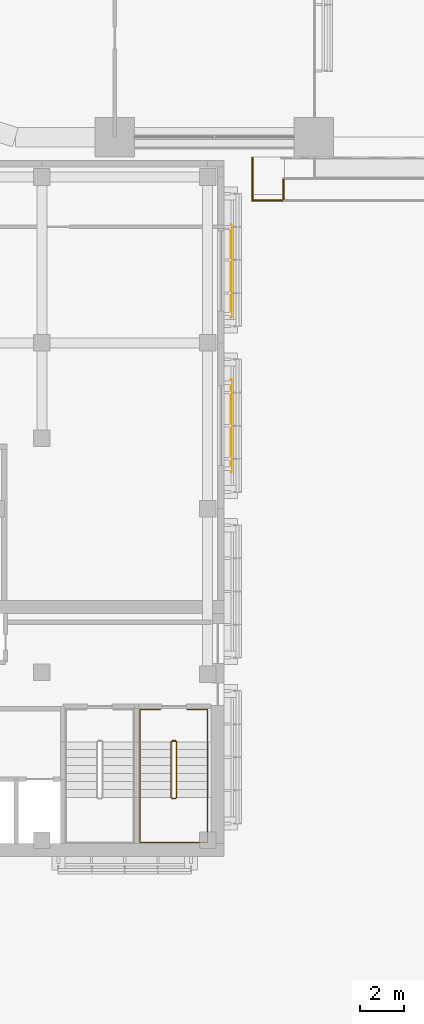
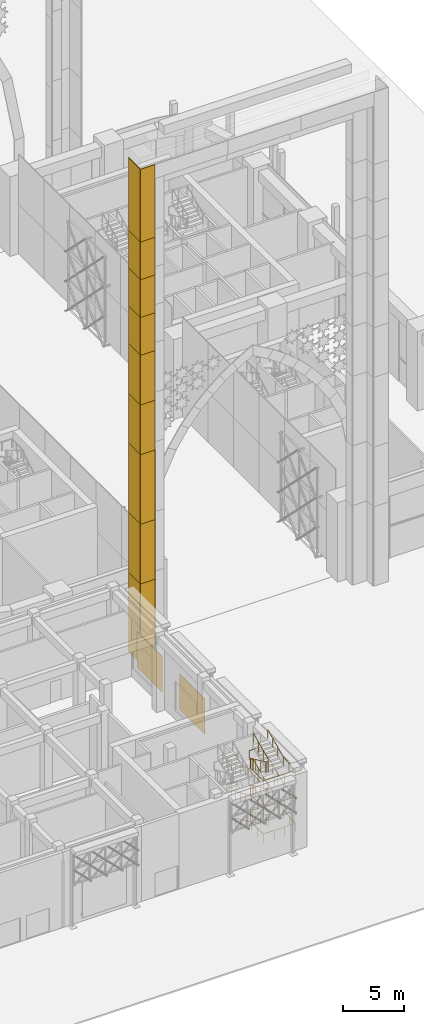
# One storey, part 49 of 64: 23 coverings, 4 railings.
"""IFC4 building model written with IfcOpenShell, lengths in metres."""

from ifc_helpers import new_model, si_unit, direction, frame, origin, origin_2d, place, context, subcontext, project, spatial, rectangle, circle, extrude, material, layer, layer_set, type_object, element, save


model = new_model("IFC4")

# Units and contexts
model_context = context("Model", 3, precision=1e-05, world=origin(), true_north=direction((0.0, 1.0)))
body_context = subcontext(model_context, "Body", "Model", "MODEL_VIEW")
ifc_project = project(units=[si_unit("LENGTHUNIT", "METRE"), si_unit("AREAUNIT", "SQUARE_METRE"), si_unit("VOLUMEUNIT", "CUBIC_METRE"), si_unit("PLANEANGLEUNIT", "RADIAN"), si_unit("MASSUNIT", "GRAM", prefix="KILO")], contexts=[model_context])

# Site, building, storey
site_placement = place(None, origin())
site = spatial("IfcSite", under=ifc_project, at=site_placement, CompositionType="ELEMENT")
building_placement = place(site_placement, origin())
building = spatial("IfcBuilding", under=site, at=building_placement, Name="Tessera Arch", CompositionType="ELEMENT")
storey_placement = place(building_placement, origin())
storey = spatial("IfcBuildingStorey", under=building, at=storey_placement, Name="L00", CompositionType="ELEMENT", Elevation=0.0)

# Coverings
ifc_material_1 = material(Name="Aluminium cladding pale metal anodised", Category="aluminium")
ifc_layer_1 = layer(ifc_material_1, 0.070068359375)
ifc_layer_set_1 = layer_set([ifc_layer_1], Name="Arch jamb panel")
covering_type_1 = type_object("IfcCoveringType", Name="Arch jamb panel", PredefinedType="CLADDING", material=ifc_layer_set_1)
covering_1_placement = place(storey_placement, frame((15.89990234375, -2.864990234375, 0.0), z_axis=(0.0, 0.0, 1.0), x_axis=(1.0, 0.0, 0.0)))
element("IfcCovering", 1, at=covering_1_placement, inside=storey, type_object=covering_type_1, Name="Gate frame panel S1", PredefinedType="CLADDING", context=body_context, shape_type="SweptSolid", body=[
    extrude(rectangle(XDim=1.39990234375, YDim=0.070068359375, at=origin_2d()), origin(), (0.0, 0.0, 1.0), 8.0),
])
covering_2_placement = place(storey_placement, frame((15.89990234375, -2.864990234375, 8.0), z_axis=(0.0, 0.0, 1.0), x_axis=(1.0, 0.0, 0.0)))
element("IfcCovering", 2, at=covering_2_placement, inside=storey, type_object=covering_type_1, Name="Gate frame panel S2", PredefinedType="CLADDING", context=body_context, shape_type="SweptSolid", body=[
    extrude(rectangle(XDim=1.39990234375, YDim=0.070068359375, at=origin_2d()), origin(), (0.0, 0.0, 1.0), 6.0),
])
covering_3_placement = place(storey_placement, frame((15.89990234375, -2.864990234375, 14.0), z_axis=(0.0, 0.0, 1.0), x_axis=(1.0, 0.0, 0.0)))
element("IfcCovering", 3, at=covering_3_placement, inside=storey, type_object=covering_type_1, Name="Gate frame panel S3", PredefinedType="CLADDING", context=body_context, shape_type="SweptSolid", body=[
    extrude(rectangle(XDim=1.39990234375, YDim=0.070068359375, at=origin_2d()), origin(), (0.0, 0.0, 1.0), 7.0),
])
for number, where, z_axis, x_axis, name in (
    (4, (15.89990234375, -2.864990234375, 21.0), (0.0, 0.0, 1.0), (1.0, 0.0, 0.0), "Gate frame panel S4"),
    (5, (15.89990234375, -2.864990234375, 26.0), (0.0, 0.0, 1.0), (1.0, 0.0, 0.0), "Gate frame panel S5"),
):
    element("IfcCovering", number, at=place(storey_placement, frame(where, z_axis=z_axis, x_axis=x_axis)), inside=storey, type_object=covering_type_1, Name=name, PredefinedType="CLADDING", context=body_context, shape_type="SweptSolid", body=[
        extrude(rectangle(XDim=1.39990234375, YDim=0.070068359375, at=origin_2d()), origin(), (0.0, 0.0, 1.0), 5.0),
    ])
for number, where, z_axis, x_axis, name in (
    (6, (15.89990234375, -2.864990234375, 31.0), (0.0, 0.0, 1.0), (1.0, 0.0, 0.0), "Gate frame panel S6"),
    (7, (15.89990234375, -2.864990234375, 34.7998046875), (0.0, 0.0, 1.0), (1.0, 0.0, 0.0), "Gate frame panel S7"),
    (8, (15.89990234375, -2.864990234375, 38.60009765625), (0.0, 0.0, 1.0), (1.0, 0.0, 0.0), "Gate frame panel S8"),
):
    element("IfcCovering", number, at=place(storey_placement, frame(where, z_axis=z_axis, x_axis=x_axis)), inside=storey, type_object=covering_type_1, Name=name, PredefinedType="CLADDING", context=body_context, shape_type="SweptSolid", body=[
        extrude(rectangle(XDim=1.39990234375, YDim=0.070068359375, at=origin_2d()), origin(), (0.0, 0.0, 1.0), 3.800048828125),
    ])
covering_4_placement = place(storey_placement, frame((15.89990234375, -2.864990234375, 42.39990234375), z_axis=(0.0, 0.0, 1.0), x_axis=(1.0, 0.0, 0.0)))
element("IfcCovering", 9, at=covering_4_placement, inside=storey, type_object=covering_type_1, Name="Gate frame panel S9", PredefinedType="CLADDING", context=body_context, shape_type="SweptSolid", body=[
    extrude(rectangle(XDim=1.39990234375, YDim=0.070068359375, at=origin_2d()), origin(), (0.0, 0.0, 1.0), 7.300048828125),
])
covering_5_placement = place(storey_placement, frame((15.235107421875, -1.864990234375, 0.0), z_axis=(0.0, 0.0, 1.0), x_axis=(1.0, 0.0, 0.0)))
element("IfcCovering", 10, at=covering_5_placement, inside=storey, type_object=covering_type_1, Name="Gate frame reveal S22", PredefinedType="CLADDING", context=body_context, shape_type="SweptSolid", body=[
    extrude(rectangle(XDim=0.070068359375, YDim=1.929931640625, at=origin_2d()), origin(), (0.0, 0.0, 1.0), 8.0),
])
covering_6_placement = place(storey_placement, frame((15.235107421875, -1.864990234375, 8.0), z_axis=(0.0, 0.0, 1.0), x_axis=(1.0, 0.0, 0.0)))
element("IfcCovering", 11, at=covering_6_placement, inside=storey, type_object=covering_type_1, Name="Gate frame reveal S23", PredefinedType="CLADDING", context=body_context, shape_type="SweptSolid", body=[
    extrude(rectangle(XDim=0.070068359375, YDim=1.929931640625, at=origin_2d()), origin(), (0.0, 0.0, 1.0), 6.0),
])
covering_7_placement = place(storey_placement, frame((15.235107421875, -1.864990234375, 14.0), z_axis=(0.0, 0.0, 1.0), x_axis=(1.0, 0.0, 0.0)))
element("IfcCovering", 12, at=covering_7_placement, inside=storey, type_object=covering_type_1, Name="Gate frame reveal S24", PredefinedType="CLADDING", context=body_context, shape_type="SweptSolid", body=[
    extrude(rectangle(XDim=0.070068359375, YDim=1.929931640625, at=origin_2d()), origin(), (0.0, 0.0, 1.0), 7.0),
])
for number, where, z_axis, x_axis, name in (
    (13, (15.235107421875, -1.864990234375, 21.0), (0.0, 0.0, 1.0), (1.0, 0.0, 0.0), "Gate frame reveal S25"),
    (14, (15.235107421875, -1.864990234375, 26.0), (0.0, 0.0, 1.0), (1.0, 0.0, 0.0), "Gate frame reveal S26"),
):
    element("IfcCovering", number, at=place(storey_placement, frame(where, z_axis=z_axis, x_axis=x_axis)), inside=storey, type_object=covering_type_1, Name=name, PredefinedType="CLADDING", context=body_context, shape_type="SweptSolid", body=[
        extrude(rectangle(XDim=0.070068359375, YDim=1.929931640625, at=origin_2d()), origin(), (0.0, 0.0, 1.0), 5.0),
    ])
for number, where, z_axis, x_axis, name in (
    (15, (15.235107421875, -1.864990234375, 31.0), (0.0, 0.0, 1.0), (1.0, 0.0, 0.0), "Gate frame reveal S27"),
    (16, (15.235107421875, -1.864990234375, 34.7998046875), (0.0, 0.0, 1.0), (1.0, 0.0, 0.0), "Gate frame reveal S28"),
    (17, (15.235107421875, -1.864990234375, 38.60009765625), (0.0, 0.0, 1.0), (1.0, 0.0, 0.0), "Gate frame reveal S29"),
):
    element("IfcCovering", number, at=place(storey_placement, frame(where, z_axis=z_axis, x_axis=x_axis)), inside=storey, type_object=covering_type_1, Name=name, PredefinedType="CLADDING", context=body_context, shape_type="SweptSolid", body=[
        extrude(rectangle(XDim=0.070068359375, YDim=1.929931640625, at=origin_2d()), origin(), (0.0, 0.0, 1.0), 3.800048828125),
    ])
covering_8_placement = place(storey_placement, frame((15.235107421875, -1.864990234375, 42.39990234375), z_axis=(0.0, 0.0, 1.0), x_axis=(1.0, 0.0, 0.0)))
element("IfcCovering", 18, at=covering_8_placement, inside=storey, type_object=covering_type_1, Name="Gate frame reveal S30", PredefinedType="CLADDING", context=body_context, shape_type="SweptSolid", body=[
    extrude(rectangle(XDim=0.070068359375, YDim=1.929931640625, at=origin_2d()), origin(), (0.0, 0.0, 1.0), 7.300048828125),
])
covering_9_placement = place(storey_placement, frame((16.635009765625, -2.364990234375, 0.0), z_axis=(0.0, 0.0, 1.0), x_axis=(1.0, 0.0, 0.0)))
element("IfcCovering", 19, at=covering_9_placement, inside=storey, type_object=covering_type_1, Name="Gate frame reveal S41", PredefinedType="CLADDING", context=body_context, shape_type="SweptSolid", body=[
    extrude(rectangle(XDim=0.070068359375, YDim=0.929931640625, at=origin_2d()), origin(), (0.0, 0.0, 1.0), 8.0),
])
covering_10_placement = place(storey_placement, frame((16.635009765625, -2.364990234375, 8.0), z_axis=(0.0, 0.0, 1.0), x_axis=(1.0, 0.0, 0.0)))
element("IfcCovering", 20, at=covering_10_placement, inside=storey, type_object=covering_type_1, Name="Gate frame reveal S42", PredefinedType="CLADDING", context=body_context, shape_type="SweptSolid", body=[
    extrude(rectangle(XDim=0.070068359375, YDim=0.929931640625, at=origin_2d()), origin(), (0.0, 0.0, 1.0), 6.0),
])
covering_11_placement = place(storey_placement, frame((16.635009765625, -2.364990234375, 14.0), z_axis=(0.0, 0.0, 1.0), x_axis=(1.0, 0.0, 0.0)))
element("IfcCovering", 21, at=covering_11_placement, inside=storey, type_object=covering_type_1, Name="Gate frame reveal S43", PredefinedType="CLADDING", context=body_context, shape_type="SweptSolid", body=[
    extrude(rectangle(XDim=0.070068359375, YDim=0.929931640625, at=origin_2d()), origin(), (0.0, 0.0, 1.0), 7.0),
])
ifc_material_2 = material(Name="Anodised aluminium pale metal", Category="aluminium")
ifc_layer_2 = layer(ifc_material_2, 0.0400390625)
ifc_layer_set_2 = layer_set([ifc_layer_2], Name="Museum screen panel")
covering_type_2 = type_object("IfcCoveringType", Name="Museum screen panel", PredefinedType="CLADDING", material=ifc_layer_set_2)
for number, where, z_axis, x_axis, name in (
    (22, (14.27001953125, -13.050048828125, 0.599853515625), (0.0, 0.0, 1.0), (0.0, 1.0, 0.0), "Screen panel museum L00 2-4"),
    (23, (14.27001953125, -6.050048828125, 0.599853515625), (0.0, 0.0, 1.0), (0.0, 1.0, 0.0), "Screen panel museum L00 2-5"),
):
    element("IfcCovering", number, at=place(storey_placement, frame(where, z_axis=z_axis, x_axis=x_axis)), inside=storey, type_object=covering_type_2, Name=name, PredefinedType="CLADDING", context=body_context, shape_type="SweptSolid", body=[
        extrude(rectangle(XDim=4.199951171875, YDim=0.0400390625, at=origin_2d()), origin(), (0.0, 0.0, 1.0), 3.60009765625),
    ])

# Railings
ifc_material_3 = material(Name="Painted steel balustrade", Category="steel")
railing_type_1 = type_object("IfcRailingType", Name="Stair guard 1100", PredefinedType="GUARDRAIL", material=ifc_material_3)
railing_1_placement = place(storey_placement, frame((11.60009765625, -27.300048828125, 0.0)))
element("IfcRailing", 24, at=railing_1_placement, inside=storey, type_object=railing_type_1, Name="L00 M3a stair guard 1", PredefinedType="GUARDRAIL", context=body_context, shape_type="SweptSolid", body=[
    extrude(circle(Radius=0.02392578125, at=origin_2d()), frame((-0.00390625, 0.0, 1.076171875), z_axis=(1.0, 0.0, 0.0), x_axis=(0.0, 1.0, 0.0)), (0.0, 0.0, 1.0), 0.157958984375),
    extrude(circle(Radius=0.02392578125, at=origin_2d()), frame((0.15283203125, 0.000732421875, 1.073486328125), z_axis=(-0.754182335027, -0.188775798145, 0.628945707965), x_axis=(0.242814311512, -0.970072785993, 0.0)), (0.0, 0.0, 1.0), 0.273193359375),
    extrude(circle(Radius=0.02392578125, at=origin_2d()), frame((-0.050048828125, -0.04638671875, 1.2412109375), z_axis=(0.0, -0.907490492863, 0.420072619153), x_axis=(1.0, 0.0, 0.0)), (0.0, 0.0, 1.0), 2.784912109375),
    extrude(circle(Radius=0.02392578125, at=origin_2d()), frame((-0.052978515625, -2.567138671875, 2.4091796875), z_axis=(0.708833529934, -0.705375805398, 0.0), x_axis=(0.705375805398, 0.708833529934, 0.0)), (0.0, 0.0, 1.0), 0.07861328125),
    extrude(circle(Radius=0.02392578125, at=origin_2d()), frame((-0.00390625, -2.619873046875, 2.4091796875), z_axis=(1.0, 0.0, 0.0), x_axis=(0.0, 1.0, 0.0)), (0.0, 0.0, 1.0), 0.157958984375),
    extrude(circle(Radius=0.02392578125, at=origin_2d()), frame((0.148681640625, -2.62109375, 2.405517578125), z_axis=(0.276389281352, 0.275041040955, 0.920848191041), x_axis=(-0.705375805398, 0.708833529934, 0.0)), (0.0, 0.0, 1.0), 0.18896484375),
    extrude(circle(Radius=0.02392578125, at=origin_2d()), frame((0.199951171875, -2.57373046875, 2.574462890625), z_axis=(0.0, 0.907456975791, 0.420145019115), x_axis=(-1.0, 0.0, 0.0)), (0.0, 0.0, 1.0), 2.784912109375),
    extrude(circle(Radius=0.02392578125, at=origin_2d()), frame((0.203857421875, -0.051025390625, 3.74267578125), z_axis=(-0.970072785993, 0.242814311512, 0.0), x_axis=(-0.242814311512, -0.970072785993, 0.0)), (0.0, 0.0, 1.0), 0.214111328125),
    extrude(circle(Radius=0.02392578125, at=origin_2d()), frame((-0.00390625, 0.0, 3.74267578125), z_axis=(1.0, 0.0, 0.0), x_axis=(0.0, 1.0, 0.0)), (0.0, 0.0, 1.0), 0.157958984375),
    extrude(circle(Radius=0.02392578125, at=origin_2d()), frame((0.15283203125, 0.000732421875, 3.740234375), z_axis=(-0.754619193878, -0.188885146209, 0.628388632753), x_axis=(0.242814311512, -0.970072785993, 0.0)), (0.0, 0.0, 1.0), 0.27294921875),
    extrude(circle(Radius=0.02392578125, at=origin_2d()), frame((-0.050048828125, -0.04638671875, 3.90771484375), z_axis=(0.0, -0.907456975791, 0.420145019115), x_axis=(1.0, 0.0, 0.0)), (0.0, 0.0, 1.0), 2.784912109375),
    extrude(circle(Radius=0.02392578125, at=origin_2d()), frame((-0.052978515625, -2.567138671875, 5.076171875), z_axis=(0.708833529934, -0.705375805398, 0.0), x_axis=(0.705375805398, 0.708833529934, 0.0)), (0.0, 0.0, 1.0), 0.07861328125),
    extrude(circle(Radius=0.02392578125, at=origin_2d()), frame((-0.00390625, -2.619873046875, 5.076171875), z_axis=(1.0, 0.0, 0.0), x_axis=(0.0, 1.0, 0.0)), (0.0, 0.0, 1.0), 0.157958984375),
    extrude(circle(Radius=0.02392578125, at=origin_2d()), frame((0.148681640625, -2.62109375, 5.072265625), z_axis=(0.276389281352, 0.275041040955, 0.920848191041), x_axis=(-0.705375805398, 0.708833529934, 0.0)), (0.0, 0.0, 1.0), 0.18896484375),
    extrude(circle(Radius=0.02392578125, at=origin_2d()), frame((0.199951171875, -2.57373046875, 5.2412109375), z_axis=(0.0, 0.907490492863, 0.420072619153), x_axis=(-1.0, 0.0, 0.0)), (0.0, 0.0, 1.0), 2.784912109375),
    extrude(circle(Radius=0.02392578125, at=origin_2d()), frame((0.203857421875, -0.051025390625, 6.4091796875), z_axis=(-0.970072785993, 0.242814311512, 0.0), x_axis=(-0.242814311512, -0.970072785993, 0.0)), (0.0, 0.0, 1.0), 0.214111328125),
    extrude(circle(Radius=0.02392578125, at=origin_2d()), frame((-0.00390625, 0.0, 6.4091796875), z_axis=(1.0, 0.0, 0.0), x_axis=(0.0, 1.0, 0.0)), (0.0, 0.0, 1.0), 0.157958984375),
    extrude(circle(Radius=0.02392578125, at=origin_2d()), frame((0.15283203125, 0.000732421875, 6.40673828125), z_axis=(-0.754182335027, -0.188775798145, 0.628945707965), x_axis=(0.242814311512, -0.970072785993, 0.0)), (0.0, 0.0, 1.0), 0.273193359375),
    extrude(circle(Radius=0.02392578125, at=origin_2d()), frame((-0.050048828125, -0.04638671875, 6.574462890625), z_axis=(0.0, -0.907456975791, 0.420145019115), x_axis=(1.0, 0.0, 0.0)), (0.0, 0.0, 1.0), 2.784912109375),
    extrude(circle(Radius=0.02392578125, at=origin_2d()), frame((-0.052978515625, -2.567138671875, 7.74267578125), z_axis=(0.708833529934, -0.705375805398, 0.0), x_axis=(0.705375805398, 0.708833529934, 0.0)), (0.0, 0.0, 1.0), 0.07861328125),
    extrude(circle(Radius=0.02392578125, at=origin_2d()), frame((-0.00390625, -2.619873046875, 7.74267578125), z_axis=(1.0, 0.0, 0.0), x_axis=(0.0, 1.0, 0.0)), (0.0, 0.0, 1.0), 0.157958984375),
    extrude(circle(Radius=0.02392578125, at=origin_2d()), frame((0.148681640625, -2.62109375, 7.739013671875), z_axis=(0.276732813696, 0.275382897532, 0.920642824102), x_axis=(-0.705375805398, 0.708833529934, 0.0)), (0.0, 0.0, 1.0), 0.18896484375),
    extrude(circle(Radius=0.02392578125, at=origin_2d()), frame((0.199951171875, -2.57373046875, 7.90771484375), z_axis=(0.0, 0.907456975791, 0.420145019115), x_axis=(-1.0, 0.0, 0.0)), (0.0, 0.0, 1.0), 2.784912109375),
    extrude(circle(Radius=0.02099609375, at=origin_2d()), origin(), (0.0, 0.0, 1.0), 1.06396484375),
    extrude(circle(Radius=0.02099609375, at=origin_2d()), frame((0.14990234375, 0.0, 0.0)), (0.0, 0.0, 1.0), 1.06396484375),
    extrude(circle(Radius=0.02099609375, at=origin_2d()), frame((-0.050048828125, -0.050048828125, 0.166748046875)), (0.0, 0.0, 1.0), 1.06396484375),
    extrude(circle(Radius=0.02099609375, at=origin_2d()), frame((-0.050048828125, -0.89013671875, 0.5556640625)), (0.0, 0.0, 1.0), 1.06396484375),
    extrude(circle(Radius=0.02099609375, at=origin_2d()), frame((-0.050048828125, -1.72998046875, 0.9443359375)), (0.0, 0.0, 1.0), 1.06396484375),
    extrude(circle(Radius=0.02099609375, at=origin_2d()), frame((-0.050048828125, -2.570068359375, 1.333251953125)), (0.0, 0.0, 1.0), 1.06396484375),
    extrude(circle(Radius=0.02099609375, at=origin_2d()), frame((0.0, -2.619873046875, 1.333251953125)), (0.0, 0.0, 1.0), 1.06396484375),
    extrude(circle(Radius=0.02099609375, at=origin_2d()), frame((0.14990234375, -2.619873046875, 1.333251953125)), (0.0, 0.0, 1.0), 1.06396484375),
    extrude(circle(Radius=0.02099609375, at=origin_2d()), frame((0.199951171875, -2.570068359375, 1.5)), (0.0, 0.0, 1.0), 1.06396484375),
    extrude(circle(Radius=0.02099609375, at=origin_2d()), frame((0.199951171875, -1.72998046875, 1.888916015625)), (0.0, 0.0, 1.0), 1.06396484375),
    extrude(circle(Radius=0.02099609375, at=origin_2d()), frame((0.199951171875, -0.89013671875, 2.27783203125)), (0.0, 0.0, 1.0), 1.06396484375),
    extrude(circle(Radius=0.02099609375, at=origin_2d()), frame((0.199951171875, -0.050048828125, 2.666748046875)), (0.0, 0.0, 1.0), 1.06396484375),
    extrude(circle(Radius=0.02099609375, at=origin_2d()), frame((0.0, 0.0, 2.666748046875)), (0.0, 0.0, 1.0), 1.06396484375),
    extrude(circle(Radius=0.02099609375, at=origin_2d()), frame((0.14990234375, 0.0, 2.666748046875)), (0.0, 0.0, 1.0), 1.06396484375),
    extrude(circle(Radius=0.02099609375, at=origin_2d()), frame((-0.050048828125, -0.050048828125, 2.833251953125)), (0.0, 0.0, 1.0), 1.06396484375),
    extrude(circle(Radius=0.02099609375, at=origin_2d()), frame((-0.050048828125, -0.89013671875, 3.22216796875)), (0.0, 0.0, 1.0), 1.06396484375),
    extrude(circle(Radius=0.02099609375, at=origin_2d()), frame((-0.050048828125, -1.72998046875, 3.611083984375)), (0.0, 0.0, 1.0), 1.06396484375),
    extrude(circle(Radius=0.02099609375, at=origin_2d()), frame((-0.050048828125, -2.570068359375, 4.0)), (0.0, 0.0, 1.0), 1.06396484375),
    extrude(circle(Radius=0.02099609375, at=origin_2d()), frame((0.0, -2.619873046875, 4.0)), (0.0, 0.0, 1.0), 1.06396484375),
    extrude(circle(Radius=0.02099609375, at=origin_2d()), frame((0.14990234375, -2.619873046875, 4.0)), (0.0, 0.0, 1.0), 1.06396484375),
    extrude(circle(Radius=0.02099609375, at=origin_2d()), frame((0.199951171875, -2.570068359375, 4.166748046875)), (0.0, 0.0, 1.0), 1.06396484375),
    extrude(circle(Radius=0.02099609375, at=origin_2d()), frame((0.199951171875, -1.72998046875, 4.5556640625)), (0.0, 0.0, 1.0), 1.06396484375),
    extrude(circle(Radius=0.02099609375, at=origin_2d()), frame((0.199951171875, -0.89013671875, 4.9443359375)), (0.0, 0.0, 1.0), 1.06396484375),
    extrude(circle(Radius=0.02099609375, at=origin_2d()), frame((0.199951171875, -0.050048828125, 5.333251953125)), (0.0, 0.0, 1.0), 1.06396484375),
    extrude(circle(Radius=0.02099609375, at=origin_2d()), frame((0.0, 0.0, 5.333251953125)), (0.0, 0.0, 1.0), 1.06396484375),
    extrude(circle(Radius=0.02099609375, at=origin_2d()), frame((0.14990234375, 0.0, 5.333251953125)), (0.0, 0.0, 1.0), 1.06396484375),
    extrude(circle(Radius=0.02099609375, at=origin_2d()), frame((-0.050048828125, -0.050048828125, 5.5)), (0.0, 0.0, 1.0), 1.06396484375),
    extrude(circle(Radius=0.02099609375, at=origin_2d()), frame((-0.050048828125, -0.89013671875, 5.888916015625)), (0.0, 0.0, 1.0), 1.06396484375),
    extrude(circle(Radius=0.02099609375, at=origin_2d()), frame((-0.050048828125, -1.72998046875, 6.27783203125)), (0.0, 0.0, 1.0), 1.06396484375),
    extrude(circle(Radius=0.02099609375, at=origin_2d()), frame((-0.050048828125, -2.570068359375, 6.666748046875)), (0.0, 0.0, 1.0), 1.06396484375),
    extrude(circle(Radius=0.02099609375, at=origin_2d()), frame((0.0, -2.619873046875, 6.666748046875)), (0.0, 0.0, 1.0), 1.06396484375),
    extrude(circle(Radius=0.02099609375, at=origin_2d()), frame((0.14990234375, -2.619873046875, 6.666748046875)), (0.0, 0.0, 1.0), 1.06396484375),
    extrude(circle(Radius=0.02099609375, at=origin_2d()), frame((0.199951171875, -2.570068359375, 6.833251953125)), (0.0, 0.0, 1.0), 1.06396484375),
    extrude(circle(Radius=0.02099609375, at=origin_2d()), frame((0.199951171875, -1.72998046875, 7.22216796875)), (0.0, 0.0, 1.0), 1.06396484375),
    extrude(circle(Radius=0.02099609375, at=origin_2d()), frame((0.199951171875, -0.89013671875, 7.611083984375)), (0.0, 0.0, 1.0), 1.06396484375),
    extrude(circle(Radius=0.02099609375, at=origin_2d()), frame((0.199951171875, -0.050048828125, 8.0)), (0.0, 0.0, 1.0), 1.06396484375),
])
ifc_material_4 = material(Name="Painted steel handrail", Category="steel")
railing_type_2 = type_object("IfcRailingType", Name="Stair handrail 900", PredefinedType="HANDRAIL", material=ifc_material_4)
railing_2_placement = place(storey_placement, frame((10.14990234375, -27.35009765625, 0.166748046875)))
element("IfcRailing", 25, at=railing_2_placement, inside=storey, type_object=railing_type_2, Name="L00 M3a stair handrail", PredefinedType="HANDRAIL", context=body_context, shape_type="SweptSolid", body=[
    extrude(circle(Radius=0.02392578125, at=origin_2d()), frame((0.0, 0.003662109375, 0.874267578125), z_axis=(0.0, -0.907490492863, 0.420072619153), x_axis=(1.0, 0.0, 0.0)), (0.0, 0.0, 1.0), 2.784912109375),
    extrude(circle(Radius=0.02392578125, at=origin_2d()), frame((0.0, -2.51611328125, 2.04248046875), z_axis=(0.0, -1.0, 0.0), x_axis=(1.0, 0.0, 0.0)), (0.0, 0.0, 1.0), 2.037841796875),
    extrude(circle(Radius=0.02392578125, at=origin_2d()), frame((-0.00390625, -4.5498046875, 2.04248046875), z_axis=(1.0, 0.0, 0.0), x_axis=(0.0, 1.0, 0.0)), (0.0, 0.0, 1.0), 3.05810546875),
    extrude(circle(Radius=0.02392578125, at=origin_2d()), frame((3.050048828125, -4.5537109375, 2.0419921875), z_axis=(0.0, 0.996642624298, 0.081874778975), x_axis=(-1.0, 0.0, 0.0)), (0.0, 0.0, 1.0), 2.044677734375),
    extrude(circle(Radius=0.02392578125, at=origin_2d()), frame((3.050048828125, -2.523681640625, 2.20751953125), z_axis=(0.0, 0.907456975791, 0.420145019115), x_axis=(-1.0, 0.0, 0.0)), (0.0, 0.0, 1.0), 2.784912109375),
    extrude(circle(Radius=0.02392578125, at=origin_2d()), frame((3.050048828125, -0.00390625, 3.3759765625), z_axis=(0.0, 1.0, 0.0), x_axis=(-1.0, 0.0, 0.0)), (0.0, 0.0, 1.0), 1.458251953125),
    extrude(circle(Radius=0.02392578125, at=origin_2d()), frame((3.053955078125, 1.4501953125, 3.3759765625), z_axis=(-1.0, 0.0, 0.0), x_axis=(0.0, -1.0, 0.0)), (0.0, 0.0, 1.0), 0.93310546875),
    extrude(circle(Radius=0.02099609375, at=origin_2d()), origin(), (0.0, 0.0, 1.0), 0.86376953125),
    extrude(circle(Radius=0.02099609375, at=origin_2d()), frame((0.0, -0.840087890625, 0.388916015625)), (0.0, 0.0, 1.0), 0.86376953125),
    extrude(circle(Radius=0.02099609375, at=origin_2d()), frame((0.0, -1.679931640625, 0.777587890625)), (0.0, 0.0, 1.0), 0.86376953125),
    extrude(circle(Radius=0.02099609375, at=origin_2d()), frame((0.0, -2.52001953125, 1.16650390625)), (0.0, 0.0, 1.0), 0.86376953125),
    extrude(circle(Radius=0.02099609375, at=origin_2d()), frame((0.0, -3.534912109375, 1.16650390625)), (0.0, 0.0, 1.0), 0.86376953125),
    extrude(circle(Radius=0.02099609375, at=origin_2d()), frame((0.0, -4.5498046875, 1.16650390625)), (0.0, 0.0, 1.0), 0.86376953125),
    extrude(circle(Radius=0.02099609375, at=origin_2d()), frame((1.0166015625, -4.5498046875, 1.16650390625)), (0.0, 0.0, 1.0), 0.86376953125),
    extrude(circle(Radius=0.02099609375, at=origin_2d()), frame((2.033447265625, -4.5498046875, 1.16650390625)), (0.0, 0.0, 1.0), 0.86376953125),
    extrude(circle(Radius=0.02099609375, at=origin_2d()), frame((3.050048828125, -4.5498046875, 1.16650390625)), (0.0, 0.0, 1.0), 0.86376953125),
    extrude(circle(Radius=0.02099609375, at=origin_2d()), frame((3.050048828125, -3.534912109375, 1.25)), (0.0, 0.0, 1.0), 0.86376953125),
    extrude(circle(Radius=0.02099609375, at=origin_2d()), frame((3.050048828125, -2.52001953125, 1.333251953125)), (0.0, 0.0, 1.0), 0.86376953125),
    extrude(circle(Radius=0.02099609375, at=origin_2d()), frame((3.050048828125, -1.679931640625, 1.72216796875)), (0.0, 0.0, 1.0), 0.86376953125),
    extrude(circle(Radius=0.02099609375, at=origin_2d()), frame((3.050048828125, -0.840087890625, 2.111083984375)), (0.0, 0.0, 1.0), 0.86376953125),
    extrude(circle(Radius=0.02099609375, at=origin_2d()), frame((3.050048828125, 0.0, 2.5)), (0.0, 0.0, 1.0), 0.86376953125),
    extrude(circle(Radius=0.02099609375, at=origin_2d()), frame((3.050048828125, 0.72509765625, 2.5)), (0.0, 0.0, 1.0), 0.86376953125),
    extrude(circle(Radius=0.02099609375, at=origin_2d()), frame((3.050048828125, 1.4501953125, 2.5)), (0.0, 0.0, 1.0), 0.86376953125),
    extrude(circle(Radius=0.02099609375, at=origin_2d()), frame((2.125, 1.4501953125, 2.5)), (0.0, 0.0, 1.0), 0.86376953125),
])
railing_3_placement = place(storey_placement, frame((11.074951171875, -25.89990234375, 2.666748046875)))
element("IfcRailing", 26, at=railing_3_placement, inside=storey, type_object=railing_type_2, Name="L00 M3a stair handrail 2", PredefinedType="HANDRAIL", context=body_context, shape_type="SweptSolid", body=[
    extrude(circle(Radius=0.02392578125, at=origin_2d()), frame((0.00390625, 0.0, 0.8759765625), z_axis=(-1.0, 0.0, 0.0), x_axis=(0.0, -1.0, 0.0)), (0.0, 0.0, 1.0), 0.93310546875),
    extrude(circle(Radius=0.02392578125, at=origin_2d()), frame((-0.925048828125, 0.00390625, 0.87548828125), z_axis=(0.0, -0.993473237723, 0.114065445813), x_axis=(1.0, 0.0, 0.0)), (0.0, 0.0, 1.0), 1.4677734375),
    extrude(circle(Radius=0.02392578125, at=origin_2d()), frame((-0.925048828125, -1.446533203125, 1.040771484375), z_axis=(0.0, -0.907456975791, 0.420145019115), x_axis=(1.0, 0.0, 0.0)), (0.0, 0.0, 1.0), 2.784912109375),
    extrude(circle(Radius=0.02392578125, at=origin_2d()), frame((-0.925048828125, -3.96630859375, 2.208984375), z_axis=(0.0, -1.0, 0.0), x_axis=(1.0, 0.0, 0.0)), (0.0, 0.0, 1.0), 2.037841796875),
    extrude(circle(Radius=0.02392578125, at=origin_2d()), frame((-0.928955078125, -6.0, 2.208984375), z_axis=(1.0, 0.0, 0.0), x_axis=(0.0, 1.0, 0.0)), (0.0, 0.0, 1.0), 3.05810546875),
    extrude(circle(Radius=0.02392578125, at=origin_2d()), frame((2.125, -6.00390625, 2.208740234375), z_axis=(0.0, 0.996642624298, 0.081874778975), x_axis=(-1.0, 0.0, 0.0)), (0.0, 0.0, 1.0), 2.044677734375),
    extrude(circle(Radius=0.02392578125, at=origin_2d()), frame((2.125, -3.973876953125, 2.374267578125), z_axis=(0.0, 0.907490492863, 0.420072619153), x_axis=(-1.0, 0.0, 0.0)), (0.0, 0.0, 1.0), 2.784912109375),
    extrude(circle(Radius=0.02392578125, at=origin_2d()), frame((2.125, -1.4541015625, 3.54248046875), z_axis=(0.0, 1.0, 0.0), x_axis=(-1.0, 0.0, 0.0)), (0.0, 0.0, 1.0), 1.458251953125),
    extrude(circle(Radius=0.02392578125, at=origin_2d()), frame((2.12890625, 0.0, 3.54248046875), z_axis=(-1.0, 0.0, 0.0), x_axis=(0.0, -1.0, 0.0)), (0.0, 0.0, 1.0), 0.93310546875),
    extrude(circle(Radius=0.02099609375, at=origin_2d()), origin(), (0.0, 0.0, 1.0), 0.86376953125),
    extrude(circle(Radius=0.02099609375, at=origin_2d()), frame((-0.925048828125, 0.0, 0.0)), (0.0, 0.0, 1.0), 0.86376953125),
    extrude(circle(Radius=0.02099609375, at=origin_2d()), frame((-0.925048828125, -0.72509765625, 0.083251953125)), (0.0, 0.0, 1.0), 0.86376953125),
    extrude(circle(Radius=0.02099609375, at=origin_2d()), frame((-0.925048828125, -1.4501953125, 0.16650390625)), (0.0, 0.0, 1.0), 0.86376953125),
    extrude(circle(Radius=0.02099609375, at=origin_2d()), frame((-0.925048828125, -2.290283203125, 0.555419921875)), (0.0, 0.0, 1.0), 0.86376953125),
    extrude(circle(Radius=0.02099609375, at=origin_2d()), frame((-0.925048828125, -3.130126953125, 0.9443359375)), (0.0, 0.0, 1.0), 0.86376953125),
    extrude(circle(Radius=0.02099609375, at=origin_2d()), frame((-0.925048828125, -3.97021484375, 1.333251953125)), (0.0, 0.0, 1.0), 0.86376953125),
    extrude(circle(Radius=0.02099609375, at=origin_2d()), frame((-0.925048828125, -4.985107421875, 1.333251953125)), (0.0, 0.0, 1.0), 0.86376953125),
    extrude(circle(Radius=0.02099609375, at=origin_2d()), frame((-0.925048828125, -6.0, 1.333251953125)), (0.0, 0.0, 1.0), 0.86376953125),
    extrude(circle(Radius=0.02099609375, at=origin_2d()), frame((0.091552734375, -6.0, 1.333251953125)), (0.0, 0.0, 1.0), 0.86376953125),
    extrude(circle(Radius=0.02099609375, at=origin_2d()), frame((1.1083984375, -6.0, 1.333251953125)), (0.0, 0.0, 1.0), 0.86376953125),
    extrude(circle(Radius=0.02099609375, at=origin_2d()), frame((2.125, -6.0, 1.333251953125)), (0.0, 0.0, 1.0), 0.86376953125),
    extrude(circle(Radius=0.02099609375, at=origin_2d()), frame((2.125, -4.985107421875, 1.41650390625)), (0.0, 0.0, 1.0), 0.86376953125),
    extrude(circle(Radius=0.02099609375, at=origin_2d()), frame((2.125, -3.97021484375, 1.5)), (0.0, 0.0, 1.0), 0.86376953125),
    extrude(circle(Radius=0.02099609375, at=origin_2d()), frame((2.125, -3.130126953125, 1.888916015625)), (0.0, 0.0, 1.0), 0.86376953125),
    extrude(circle(Radius=0.02099609375, at=origin_2d()), frame((2.125, -2.290283203125, 2.277587890625)), (0.0, 0.0, 1.0), 0.86376953125),
    extrude(circle(Radius=0.02099609375, at=origin_2d()), frame((2.125, -1.4501953125, 2.66650390625)), (0.0, 0.0, 1.0), 0.86376953125),
    extrude(circle(Radius=0.02099609375, at=origin_2d()), frame((2.125, -0.72509765625, 2.66650390625)), (0.0, 0.0, 1.0), 0.86376953125),
    extrude(circle(Radius=0.02099609375, at=origin_2d()), frame((2.125, 0.0, 2.66650390625)), (0.0, 0.0, 1.0), 0.86376953125),
    extrude(circle(Radius=0.02099609375, at=origin_2d()), frame((1.199951171875, 0.0, 2.66650390625)), (0.0, 0.0, 1.0), 0.86376953125),
])
railing_4_placement = place(storey_placement, frame((11.074951171875, -25.89990234375, 5.333251953125)))
element("IfcRailing", 27, at=railing_4_placement, inside=storey, type_object=railing_type_2, Name="L00 M3a stair handrail 3", PredefinedType="HANDRAIL", context=body_context, shape_type="SweptSolid", body=[
    extrude(circle(Radius=0.02392578125, at=origin_2d()), frame((0.00390625, 0.0, 0.8759765625), z_axis=(-1.0, 0.0, 0.0), x_axis=(0.0, -1.0, 0.0)), (0.0, 0.0, 1.0), 0.93310546875),
    extrude(circle(Radius=0.02392578125, at=origin_2d()), frame((-0.925048828125, 0.00390625, 0.87548828125), z_axis=(0.0, -0.993454271282, 0.114230516378), x_axis=(1.0, 0.0, 0.0)), (0.0, 0.0, 1.0), 1.4677734375),
    extrude(circle(Radius=0.02392578125, at=origin_2d()), frame((-0.925048828125, -1.446533203125, 1.041015625), z_axis=(0.0, -0.907456975791, 0.420145019115), x_axis=(1.0, 0.0, 0.0)), (0.0, 0.0, 1.0), 2.784912109375),
    extrude(circle(Radius=0.02392578125, at=origin_2d()), frame((-0.925048828125, -3.96630859375, 2.20947265625), z_axis=(0.0, -1.0, 0.0), x_axis=(1.0, 0.0, 0.0)), (0.0, 0.0, 1.0), 2.037841796875),
    extrude(circle(Radius=0.02392578125, at=origin_2d()), frame((-0.928955078125, -6.0, 2.20947265625), z_axis=(1.0, 0.0, 0.0), x_axis=(0.0, 1.0, 0.0)), (0.0, 0.0, 1.0), 3.05810546875),
    extrude(circle(Radius=0.02392578125, at=origin_2d()), frame((2.125, -6.00390625, 2.208984375), z_axis=(0.0, 0.996652399087, 0.081755705578), x_axis=(-1.0, 0.0, 0.0)), (0.0, 0.0, 1.0), 2.044677734375),
    extrude(circle(Radius=0.02392578125, at=origin_2d()), frame((2.125, -3.973876953125, 2.374267578125), z_axis=(0.0, 0.907456975791, 0.420145019115), x_axis=(-1.0, 0.0, 0.0)), (0.0, 0.0, 1.0), 2.784912109375),
    extrude(circle(Radius=0.02099609375, at=origin_2d()), origin(), (0.0, 0.0, 1.0), 0.86376953125),
    extrude(circle(Radius=0.02099609375, at=origin_2d()), frame((-0.925048828125, 0.0, 0.0)), (0.0, 0.0, 1.0), 0.86376953125),
    extrude(circle(Radius=0.02099609375, at=origin_2d()), frame((-0.925048828125, -0.72509765625, 0.08349609375)), (0.0, 0.0, 1.0), 0.86376953125),
    extrude(circle(Radius=0.02099609375, at=origin_2d()), frame((-0.925048828125, -1.4501953125, 0.166748046875)), (0.0, 0.0, 1.0), 0.86376953125),
    extrude(circle(Radius=0.02099609375, at=origin_2d()), frame((-0.925048828125, -2.290283203125, 0.5556640625)), (0.0, 0.0, 1.0), 0.86376953125),
    extrude(circle(Radius=0.02099609375, at=origin_2d()), frame((-0.925048828125, -3.130126953125, 0.944580078125)), (0.0, 0.0, 1.0), 0.86376953125),
    extrude(circle(Radius=0.02099609375, at=origin_2d()), frame((-0.925048828125, -3.97021484375, 1.33349609375)), (0.0, 0.0, 1.0), 0.86376953125),
    extrude(circle(Radius=0.02099609375, at=origin_2d()), frame((-0.925048828125, -4.985107421875, 1.33349609375)), (0.0, 0.0, 1.0), 0.86376953125),
    extrude(circle(Radius=0.02099609375, at=origin_2d()), frame((-0.925048828125, -6.0, 1.33349609375)), (0.0, 0.0, 1.0), 0.86376953125),
    extrude(circle(Radius=0.02099609375, at=origin_2d()), frame((0.091552734375, -6.0, 1.33349609375)), (0.0, 0.0, 1.0), 0.86376953125),
    extrude(circle(Radius=0.02099609375, at=origin_2d()), frame((1.1083984375, -6.0, 1.33349609375)), (0.0, 0.0, 1.0), 0.86376953125),
    extrude(circle(Radius=0.02099609375, at=origin_2d()), frame((2.125, -6.0, 1.33349609375)), (0.0, 0.0, 1.0), 0.86376953125),
    extrude(circle(Radius=0.02099609375, at=origin_2d()), frame((2.125, -4.985107421875, 1.416748046875)), (0.0, 0.0, 1.0), 0.86376953125),
    extrude(circle(Radius=0.02099609375, at=origin_2d()), frame((2.125, -3.97021484375, 1.5)), (0.0, 0.0, 1.0), 0.86376953125),
    extrude(circle(Radius=0.02099609375, at=origin_2d()), frame((2.125, -3.130126953125, 1.888916015625)), (0.0, 0.0, 1.0), 0.86376953125),
    extrude(circle(Radius=0.02099609375, at=origin_2d()), frame((2.125, -2.290283203125, 2.27783203125)), (0.0, 0.0, 1.0), 0.86376953125),
    extrude(circle(Radius=0.02099609375, at=origin_2d()), frame((2.125, -1.4501953125, 2.666748046875)), (0.0, 0.0, 1.0), 0.86376953125),
])

save(model, "model.ifc")
